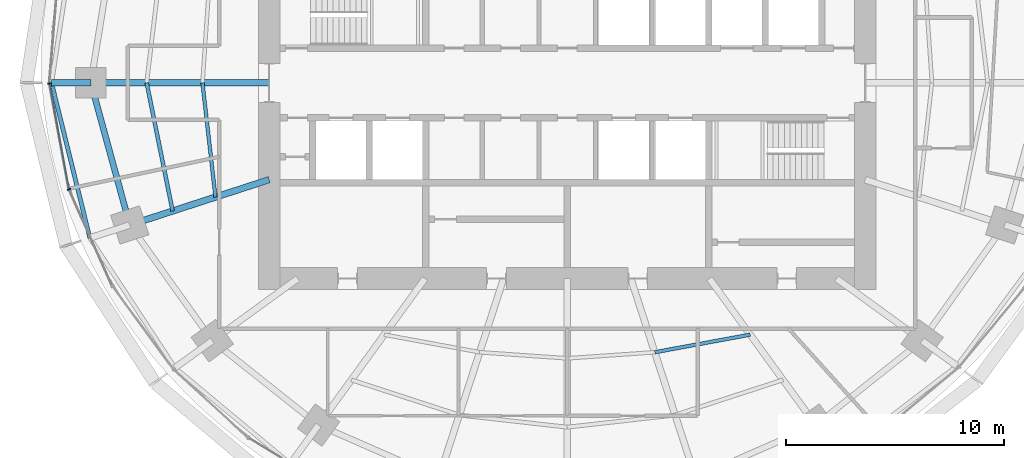
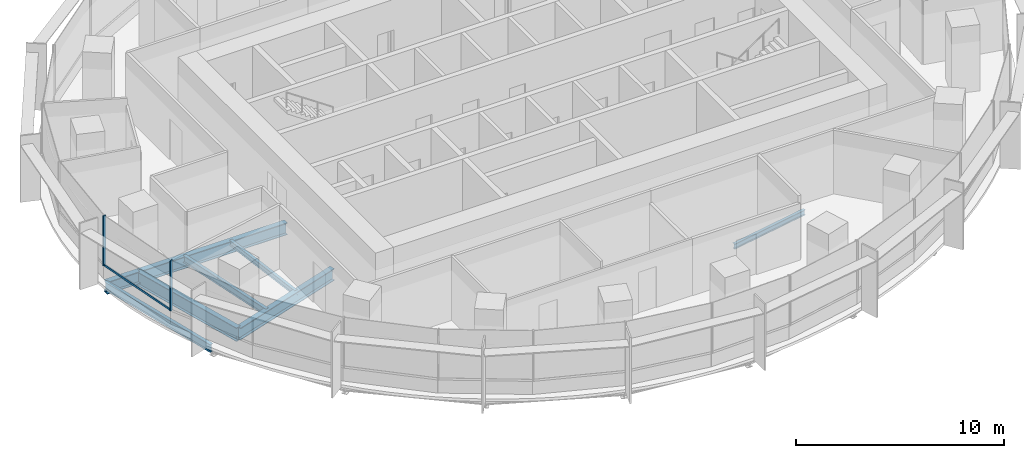
# One storey, part 3 of 14: 8 beams, 3 members, 1 element without a shape of its own.
"""IFC4 building model written with IfcOpenShell, lengths in metres."""

from ifc_helpers import new_model, si_unit, direction, frame, origin, origin_2d, place, context, subcontext, project, spatial, rectangle, i_section, extrude, material, material_profile, profile_set, type_object, element, aggregate, save


model = new_model("IFC4")

# Units and contexts
model_context = context("Model", 3, precision=1e-05, world=origin(), true_north=direction((0.0, 1.0)))
body_context = subcontext(model_context, "Body", "Model", "MODEL_VIEW")
ifc_project = project(units=[si_unit("LENGTHUNIT", "METRE"), si_unit("AREAUNIT", "SQUARE_METRE"), si_unit("VOLUMEUNIT", "CUBIC_METRE"), si_unit("PLANEANGLEUNIT", "RADIAN"), si_unit("MASSUNIT", "GRAM", prefix="KILO")], contexts=[model_context])

# Site, building, storey
site_placement = place(None, origin())
site = spatial("IfcSite", under=ifc_project, at=site_placement, CompositionType="ELEMENT")
building_placement = place(site_placement, origin())
building = spatial("IfcBuilding", under=site, at=building_placement, Name="Marramba Exchange Tower", CompositionType="ELEMENT")
storey_placement = place(building_placement, frame((0.0, 0.0, 195.5)))
storey = spatial("IfcBuildingStorey", under=building, at=storey_placement, Name="L47", CompositionType="ELEMENT", Elevation=195.5)

# Beams
ifc_material_1 = material(Name="Steel AS/NZS 3679.2 grade 300", Category="steel")
ifc_material_profile_1 = material_profile(ifc_material_1, i_section(OverallWidth=0.300048828125, OverallDepth=0.699951171875, WebThickness=0.010009765625, FlangeThickness=0.031982421875, at=origin_2d()), Name="700WB173")
ifc_profile_set_1 = profile_set([ifc_material_profile_1], Name="Steel AS/NZS 3679.2 grade 300")
beam_type_1 = type_object("IfcBeamType", Name="Cantilever girder 700WB173", PredefinedType="BEAM", material=ifc_profile_set_1)
beam_1_placement = place(storey_placement, frame((-21.89990234375, 0.0, -0.510009765625), z_axis=(-1.0, 0.0, 0.0), x_axis=(0.0, -1.0, 0.0)))
element("IfcBeam", 1, at=beam_1_placement, inside=storey, type_object=beam_type_1, Name="Cantilever girder L47 TC11", PredefinedType="BEAM", context=body_context, shape_type="SweptSolid", body=[
    extrude(i_section(OverallWidth=0.300048828125, OverallDepth=0.699951171875, WebThickness=0.010009765625, FlangeThickness=0.031982421875, at=origin_2d()), origin(), (0.0, 0.0, 1.0), 1.80615234375),
])
ifc_material_2 = material(Name="Steel AS/NZS 3679.1 grade 300", Category="steel")
ifc_material_profile_2 = material_profile(ifc_material_2, i_section(OverallWidth=0.166015625, OverallDepth=0.306884765625, WebThickness=0.006591796875, FlangeThickness=0.01171875, FilletRadius=0.011474609375, at=origin_2d()), Name="310UB46.2")
ifc_profile_set_2 = profile_set([ifc_material_profile_2], Name="Steel AS/NZS 3679.1 grade 300")
beam_type_2 = type_object("IfcBeamType", Name="Floor joist 310UB46.2", PredefinedType="JOIST", material=ifc_profile_set_2)
beam_2_placement = place(storey_placement, frame((-16.7666015625, 0.0, -0.3134765625), z_axis=(0.112888968594, -0.993607609054, 0.0), x_axis=(0.993607609054, 0.112888968594, 0.0)))
element("IfcBeam", 2, at=beam_2_placement, inside=storey, type_object=beam_type_2, Name="Joist L47 bay 11 row 1", PredefinedType="JOIST", context=body_context, shape_type="SweptSolid", body=[
    extrude(i_section(OverallWidth=0.166015625, OverallDepth=0.306884765625, WebThickness=0.006591796875, FlangeThickness=0.01171875, FilletRadius=0.011474609375, at=origin_2d()), origin(), (0.0, 0.0, 1.0), 5.28759765625),
])
beam_3_placement = place(storey_placement, frame((4.0244140625, -12.3857421875, -0.3134765625), z_axis=(0.983455754421, 0.181148500119, 0.0), x_axis=(-0.181148500119, 0.983455754421, 0.0)))
element("IfcBeam", 3, at=beam_3_placement, inside=storey, type_object=beam_type_2, Name="Joist L47 bay 17 row 1", PredefinedType="JOIST", context=body_context, shape_type="SweptSolid", body=[
    extrude(i_section(OverallWidth=0.166015625, OverallDepth=0.306884765625, WebThickness=0.006591796875, FlangeThickness=0.01171875, FilletRadius=0.011474609375, at=origin_2d()), origin(), (0.0, 0.0, 1.0), 4.4609375),
])
ifc_material_profile_3 = material_profile(ifc_material_2, i_section(OverallWidth=0.177978515625, OverallDepth=0.406005859375, WebThickness=0.0078125, FlangeThickness=0.0126953125, FilletRadius=0.011474609375, at=origin_2d()), Name="410UB59.7")
ifc_profile_set_3 = profile_set([ifc_material_profile_3], Name="Steel AS/NZS 3679.1 grade 300")
beam_type_3 = type_object("IfcBeamType", Name="Floor joist 410UB59.7", PredefinedType="JOIST", material=ifc_profile_set_3)
beam_4_placement = place(storey_placement, frame((-19.333251953125, 0.0, -0.363037109375), z_axis=(0.198489047047, -0.980103105904, 0.0), x_axis=(0.980103105904, 0.198489047047, 0.0)))
element("IfcBeam", 4, at=beam_4_placement, inside=storey, type_object=beam_type_3, Name="Joist L47 bay 11 row 2", PredefinedType="JOIST", context=body_context, shape_type="SweptSolid", body=[
    extrude(i_section(OverallWidth=0.177978515625, OverallDepth=0.406005859375, WebThickness=0.0078125, FlangeThickness=0.0126953125, FilletRadius=0.011474609375, at=origin_2d()), origin(), (0.0, 0.0, 1.0), 6.013427734375),
])

# Curtain wall, members
ifc_material_3 = material(Name="Aluminium framing, bronze anodised", Category="aluminium")
curtain_wall_type = type_object("IfcCurtainWallType", Name="Office ribbon curtain wall", PredefinedType="USERDEFINED", material=ifc_material_3)
curtain_wall_placement = place(storey_placement, origin())
curtain_wall = element("IfcCurtainWall", 5, at=curtain_wall_placement, inside=storey, type_object=curtain_wall_type, Name="Curtain wall CW4 L47 F16-F20", ObjectType="RIBBON CURTAIN WALL", PredefinedType="USERDEFINED")
ifc_material_4 = material(Name="Aluminium mullion, bronze anodised", Category="aluminium")
ifc_material_profile_4 = material_profile(ifc_material_4, rectangle(XDim=0.159912109375, YDim=0.06005859375, at=origin_2d()), Name="CW4 mullion 60x160")
ifc_profile_set_4 = profile_set([ifc_material_profile_4], Name="Aluminium mullion, bronze anodised")
member_type_1 = type_object("IfcMemberType", Name="Office ribbon curtain wall mullion", PredefinedType="MULLION", material=ifc_profile_set_4)
member_1_placement = place(storey_placement, frame((-23.800537109375, -0.029541015625, 0.800048828125), z_axis=(0.0, 0.0, 1.0), x_axis=(0.983606636184, 0.180327438996, 0.0)))
member_1 = element("IfcMember", 6, at=member_1_placement, type_object=member_type_1, Name="CW4 mullion 1", PredefinedType="MULLION", context=body_context, shape_type="SweptSolid", body=[
    extrude(rectangle(XDim=0.159912109375, YDim=0.06005859375, at=origin_2d()), origin(), (0.0, 0.0, 1.0), 2.93994140625),
])
member_2_placement = place(storey_placement, frame((-22.90087890625, -4.897705078125, 0.800048828125), z_axis=(0.0, 0.0, 1.0), x_axis=(0.913179510401, 0.407557580942, 0.0)))
member_2 = element("IfcMember", 7, at=member_2_placement, type_object=member_type_1, Name="CW4 mullion 1", PredefinedType="MULLION", context=body_context, shape_type="SweptSolid", body=[
    extrude(rectangle(XDim=0.159912109375, YDim=0.06005859375, at=origin_2d()), origin(), (0.0, 0.0, 1.0), 2.93994140625),
])
ifc_material_5 = material(Name="Aluminium transom, bronze anodised", Category="aluminium")
ifc_material_profile_5 = material_profile(ifc_material_5, rectangle(XDim=0.06005859375, YDim=0.1201171875, at=origin_2d()), Name="CW4 transom 60x120")
ifc_profile_set_5 = profile_set([ifc_material_profile_5], Name="Aluminium transom, bronze anodised")
member_type_2 = type_object("IfcMemberType", Name="Office ribbon curtain wall transom", PredefinedType="USERDEFINED", material=ifc_profile_set_5)
member_3_placement = place(storey_placement, frame((-23.795166015625, -0.05908203125, 0.830078125), z_axis=(0.180330283276, -0.98360611473, 0.0), x_axis=(0.98360611473, 0.180330283276, 0.0)))
member_3 = element("IfcMember", 8, at=member_3_placement, type_object=member_type_2, Name="CW4 sill transom", ObjectType="TRANSOM", PredefinedType="USERDEFINED", context=body_context, shape_type="SweptSolid", body=[
    extrude(rectangle(XDim=0.06005859375, YDim=0.1201171875, at=origin_2d()), origin(), (0.0, 0.0, 1.0), 4.891357421875),
])
aggregate(curtain_wall, [member_1, member_3, member_2])

# Beams
ifc_material_profile_6 = material_profile(ifc_material_1, i_section(OverallWidth=0.300048828125, OverallDepth=0.699951171875, WebThickness=0.010009765625, FlangeThickness=0.031982421875, at=origin_2d()), Name="700WB173")
ifc_profile_set_6 = profile_set([ifc_material_profile_6], Name="Steel AS/NZS 3679.2 grade 300")
beam_type_4 = type_object("IfcBeamType", Name="Radial girder 700WB173", PredefinedType="BEAM", material=ifc_profile_set_6)
beam_5_placement = place(storey_placement, frame((-13.699951171875, 0.0, -0.510009765625), z_axis=(-1.0, 0.0, 0.0), x_axis=(0.0, -1.0, 0.0)))
element("IfcBeam", 9, at=beam_5_placement, inside=storey, type_object=beam_type_4, Name="Radial girder L47 TC11", PredefinedType="BEAM", context=body_context, shape_type="SweptSolid", body=[
    extrude(i_section(OverallWidth=0.300048828125, OverallDepth=0.699951171875, WebThickness=0.010009765625, FlangeThickness=0.031982421875, at=origin_2d()), origin(), (0.0, 0.0, 1.0), 8.199951171875),
])
beam_6_placement = place(storey_placement, frame((-13.699951171875, -4.451416015625, -0.510009765625), z_axis=(-0.951057759669, -0.309013167637, 0.0), x_axis=(0.309013167637, -0.951057759669, 0.0)))
element("IfcBeam", 10, at=beam_6_placement, inside=storey, type_object=beam_type_4, Name="Radial girder L47 TC12", PredefinedType="BEAM", context=body_context, shape_type="SweptSolid", body=[
    extrude(i_section(OverallWidth=0.300048828125, OverallDepth=0.699951171875, WebThickness=0.010009765625, FlangeThickness=0.031982421875, at=origin_2d()), origin(), (0.0, 0.0, 1.0), 6.7392578125),
])
ifc_material_profile_7 = material_profile(ifc_material_1, i_section(OverallWidth=0.27490234375, OverallDepth=0.800048828125, WebThickness=0.010009765625, FlangeThickness=0.02490234375, at=origin_2d()), Name="800WB168")
ifc_profile_set_7 = profile_set([ifc_material_profile_7], Name="Steel AS/NZS 3679.2 grade 300")
beam_type_5 = type_object("IfcBeamType", Name="Ring beam 800WB168", PredefinedType="SPANDREL", material=ifc_profile_set_7)
beam_7_placement = place(storey_placement, frame((-21.89990234375, 0.0, -0.56005859375), z_axis=(0.264291166956, -0.964442937176, 0.0), x_axis=(0.964442937176, 0.264291166956, 0.0)))
element("IfcBeam", 11, at=beam_7_placement, inside=storey, type_object=beam_type_5, Name="Ring beam L47 TC11-TC12", PredefinedType="SPANDREL", context=body_context, shape_type="SweptSolid", body=[
    extrude(i_section(OverallWidth=0.27490234375, OverallDepth=0.800048828125, WebThickness=0.010009765625, FlangeThickness=0.02490234375, at=origin_2d()), origin(), (0.0, 0.0, 1.0), 6.77490234375),
])
ifc_material_profile_8 = material_profile(ifc_material_2, i_section(OverallWidth=0.19091796875, OverallDepth=0.4599609375, WebThickness=0.010009765625, FlangeThickness=0.01611328125, FilletRadius=0.011474609375, at=origin_2d()), Name="460UB82.1")
ifc_profile_set_8 = profile_set([ifc_material_profile_8], Name="Steel AS/NZS 3679.1 grade 300")
beam_type_6 = type_object("IfcBeamType", Name="Slab edge beam 460UB82.1", PredefinedType="SPANDREL", material=ifc_profile_set_8)
beam_8_placement = place(storey_placement, frame((-23.7060546875, 0.0, -0.389892578125), z_axis=(0.23973454413, -0.970838476963, 0.0), x_axis=(0.970838476963, 0.23973454413, 0.0)))
element("IfcBeam", 12, at=beam_8_placement, inside=storey, type_object=beam_type_6, Name="Slab edge beam L47 TC11-TC12", PredefinedType="SPANDREL", context=body_context, shape_type="SweptSolid", body=[
    extrude(i_section(OverallWidth=0.19091796875, OverallDepth=0.4599609375, WebThickness=0.010009765625, FlangeThickness=0.01611328125, FilletRadius=0.011474609375, at=origin_2d()), origin(), (0.0, 0.0, 1.0), 7.344482421875),
])

save(model, "model.ifc")
